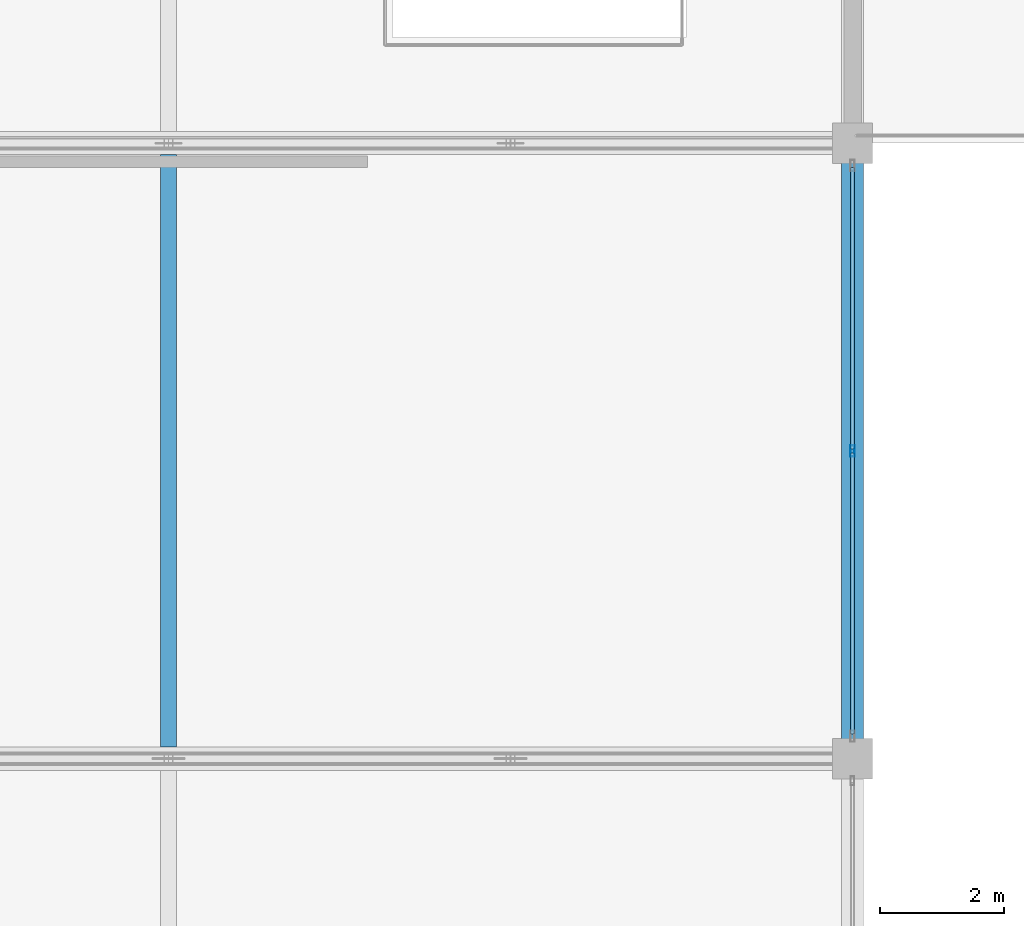
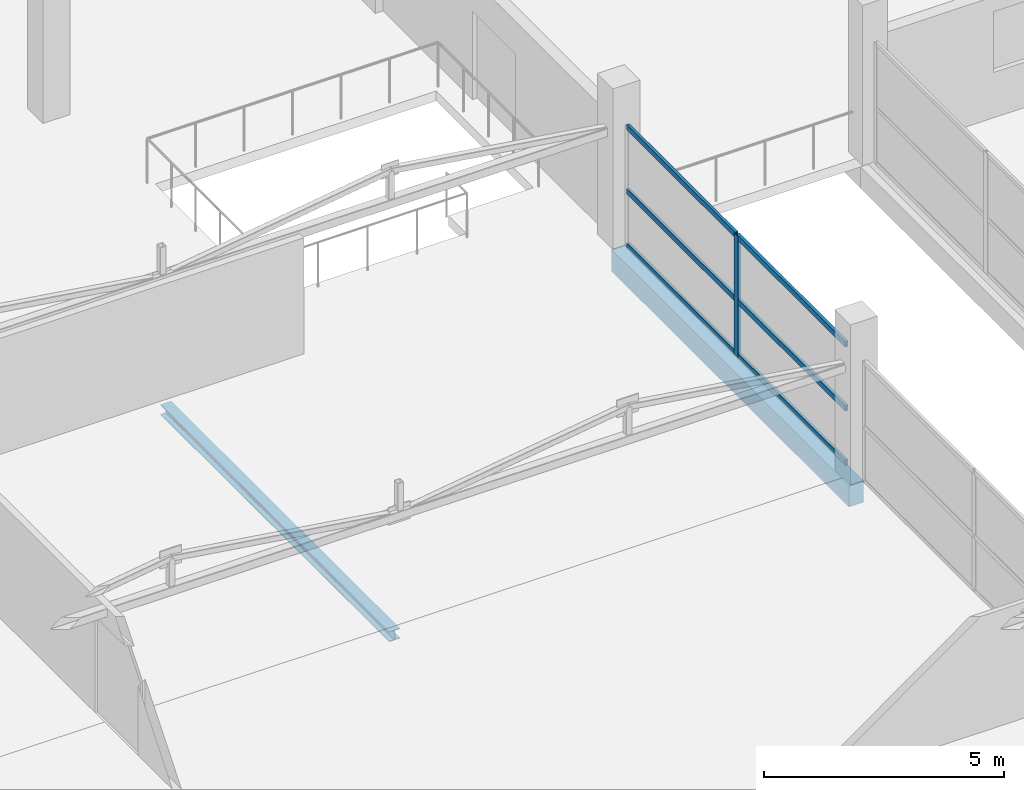
# One storey, part 23 of 53: 7 members, 2 beams, 1 element without a shape of its own.
"""IFC4 building model written with IfcOpenShell, lengths in metres."""

import ifcopenshell
import ifcopenshell.guid

model = None  # the IFC model being written
_history = None  # IfcOwnerHistory: only IFC2X3 demands one
_inside = {}  # id of a spatial element -> (the spatial element, [elements in it])
_under = {}  # id of a project, library or spatial element -> (it, [spatial elements below it])
_declared = {}  # id of a project -> (the project, [libraries it declares])
_typed = {}  # id of a type object -> (the type object, [elements of that type])
_made_of = {}  # id of a material, layer set ... -> (it, [elements and type objects made of it])


def new_model(schema):
    """Start an empty IFC model of exactly this schema.

    Asked for "IFC4X3", IfcOpenShell would pick the latest addendum, in which some entities
    have other attributes; the version numbers below select the first issue.
    IFC2X3 requires an IfcOwnerHistory on every rooted entity: one is made here for all.
    """
    global model, _history
    if schema == "IFC4X3":
        model = ifcopenshell.file(schema_version=(4, 3, 0, 0))
    else:
        model = ifcopenshell.file(schema=schema)
    _inside.clear()
    _under.clear()
    _declared.clear()
    _typed.clear()
    _made_of.clear()
    _history = None
    if model.schema == "IFC2X3":
        org = make("IfcOrganization", Name="unknown")
        user = make(
            "IfcPersonAndOrganization",
            ThePerson=make("IfcPerson", FamilyName="unknown"),
            TheOrganization=org,
        )
        app = make(
            "IfcApplication",
            ApplicationDeveloper=org,
            Version="unknown",
            ApplicationFullName="unknown",
            ApplicationIdentifier="unknown",
        )
        _history = make(
            "IfcOwnerHistory",
            OwningUser=user,
            OwningApplication=app,
            ChangeAction="ADDED",
            CreationDate=0,
        )
    return model


def make(cls, **values):
    """One entity of the class cls with the attributes given. An attribute that is None is left unset."""
    return model.create_entity(
        cls, **{name: value for name, value in values.items() if value is not None}
    )


def rooted(cls, **values):
    """An entity with a GlobalId (a new one), such as an element, a storey or a relation."""
    return make(cls, GlobalId=ifcopenshell.guid.new(), OwnerHistory=_history, **values)


def si_unit(unit_type, name, prefix=None):
    """IfcSIUnit, for example si_unit("LENGTHUNIT", "METRE", prefix="MILLI")."""
    return make("IfcSIUnit", UnitType=unit_type, Prefix=prefix, Name=name)


def assignment(units):
    """IfcUnitAssignment: the units of a project."""
    return None if units is None else make("IfcUnitAssignment", Units=units)


def point(xyz):
    """IfcCartesianPoint."""
    return None if xyz is None else make("IfcCartesianPoint", Coordinates=xyz)


def direction(xyz):
    """IfcDirection."""
    return None if xyz is None else make("IfcDirection", DirectionRatios=xyz)


def frame(location, z_axis=None, x_axis=None):
    """IfcAxis2Placement3D, a coordinate frame: its origin and axes. An axis left out is left unset."""
    return make(
        "IfcAxis2Placement3D",
        Location=point(location),
        Axis=direction(z_axis),
        RefDirection=direction(x_axis),
    )


def frame_2d(location, x_axis=None):
    """IfcAxis2Placement2D, a coordinate frame in the plane: its origin and x axis."""
    return make(
        "IfcAxis2Placement2D", Location=point(location), RefDirection=direction(x_axis)
    )


def origin():
    """The frame at (0, 0, 0) with its axes left unset."""
    return frame((0.0, 0.0, 0.0))


def origin_2d():
    """The frame at (0, 0) in the plane with its x axis left unset."""
    return frame_2d((0.0, 0.0))


def place(relative_to, where):
    """IfcLocalPlacement: puts the frame where relative to a parent placement (None: the world)."""
    return make(
        "IfcLocalPlacement", PlacementRelTo=relative_to, RelativePlacement=where
    )


def context(
    kind, dimensions, precision=None, world=None, true_north=None, identifier=None
):
    """IfcGeometricRepresentationContext, for example the 3D "Model" context."""
    return make(
        "IfcGeometricRepresentationContext",
        ContextIdentifier=identifier,
        ContextType=kind,
        CoordinateSpaceDimension=dimensions,
        Precision=precision,
        WorldCoordinateSystem=world,
        TrueNorth=true_north,
    )


def subcontext(parent, identifier, kind, view, scale=None):
    """IfcGeometricRepresentationSubContext, for example "Body" below "Model"."""
    return make(
        "IfcGeometricRepresentationSubContext",
        ContextIdentifier=identifier,
        ContextType=kind,
        ParentContext=parent,
        TargetScale=scale,
        TargetView=view,
    )


def project(units=None, contexts=None):
    """IfcProject with its units and contexts."""
    return rooted(
        "IfcProject",
        Name="project",
        RepresentationContexts=contexts,
        UnitsInContext=assignment(units),
    )


def spatial(cls, under=None, at=None, **own):
    """A site, building, storey or space (cls), placed at a placement, below another one or the project."""
    s = rooted(cls, ObjectPlacement=at, **own)
    if under is not None:
        _under.setdefault(under.id(), (under, []))[1].append(s)
    return s


def profile(cls, at=None, kind="AREA", **sizes):
    """A parametric profile (cls). Its sizes go by their IFC names, for example OverallWidth=200.0."""
    return make(cls, ProfileType=kind, Position=at, **sizes)


def rectangle(**sizes):
    """IfcRectangleProfileDef."""
    return profile("IfcRectangleProfileDef", **sizes)


def hollow_rectangle(**sizes):
    """IfcRectangleHollowProfileDef."""
    return profile("IfcRectangleHollowProfileDef", **sizes)


def i_section(**sizes):
    """IfcIShapeProfileDef."""
    return profile("IfcIShapeProfileDef", **sizes)


def extrude(swept, where, along, depth):
    """IfcExtrudedAreaSolid: the profile swept, set in the frame where, extruded along a direction by depth."""
    return make(
        "IfcExtrudedAreaSolid",
        SweptArea=swept,
        Position=where,
        ExtrudedDirection=direction(along),
        Depth=depth,
    )


def shape(context_of_items, identifier, shape_type, items):
    """IfcShapeRepresentation: the items that make up one representation, for example the "Body"."""
    return make(
        "IfcShapeRepresentation",
        ContextOfItems=context_of_items,
        RepresentationIdentifier=identifier,
        RepresentationType=shape_type,
        Items=items,
    )


def material(Name=None, Category=None):
    """IfcMaterial."""
    return make("IfcMaterial", Name=Name, Category=Category)


def layer(
    of_material, thickness, ventilated=None, Name=None, Category=None, Priority=None
):
    """IfcMaterialLayer: one layer of a wall or slab, of a material (None: an air gap)."""
    return make(
        "IfcMaterialLayer",
        Material=of_material,
        LayerThickness=thickness,
        IsVentilated=ventilated,
        Name=Name,
        Category=Category,
        Priority=Priority,
    )


def layer_set(layers, Name=None):
    """IfcMaterialLayerSet."""
    return make("IfcMaterialLayerSet", MaterialLayers=layers, LayerSetName=Name)


def material_profile(
    of_material, cross_section, Name=None, Category=None, Priority=None
):
    """IfcMaterialProfile: a cross section and its material."""
    return make(
        "IfcMaterialProfile",
        Name=Name,
        Material=of_material,
        Profile=cross_section,
        Priority=Priority,
        Category=Category,
    )


def profile_set(profiles, Name=None, composite=None):
    """IfcMaterialProfileSet."""
    return make(
        "IfcMaterialProfileSet",
        Name=Name,
        MaterialProfiles=profiles,
        CompositeProfile=composite,
    )


def made_of(thing, what):
    """Note that an element or type object is made of a material, layer set ...; save() writes the relation."""
    if what is not None:
        _made_of.setdefault(what.id(), (what, []))[1].append(thing)
    return thing


def type_object(cls, material=None, **own):
    """A type object (cls), such as IfcWallType, which elements share."""
    return made_of(rooted(cls, **own), material)


def element(
    cls,
    number,
    at=None,
    inside=None,
    cuts=None,
    type_object=None,
    material=None,
    context=None,
    identifier="Body",
    shape_type=None,
    held_by="IfcProductDefinitionShape",
    body=None,
    shapes=None,
    **own,
):
    """One element of the class cls, such as IfcWall. Its Tag is "e" and its number.

    at: its placement. inside: the storey or other place that contains it. cuts: it is an
    opening in that element (IfcRelVoidsElement). A single representation is given by context,
    identifier, shape_type and body (its items); several are given by shapes. held_by: the class
    of the entity that holds the representations. save() writes the other relations.
    """
    e = rooted(cls, Tag="e%d" % number, ObjectPlacement=at, **own)
    if body is not None:
        shapes = [shape(context, identifier, shape_type, body)]
    if shapes is not None:
        e.Representation = make(held_by, Representations=shapes)
    if inside is not None:
        _inside.setdefault(inside.id(), (inside, []))[1].append(e)
    if cuts is not None:
        rooted(
            "IfcRelVoidsElement", RelatingBuildingElement=cuts, RelatedOpeningElement=e
        )
    if type_object is not None:
        _typed.setdefault(type_object.id(), (type_object, []))[1].append(e)
    return made_of(e, material)


def aggregate(whole, parts):
    """IfcRelAggregates: a whole, such as a stair, and the parts it consists of."""
    return rooted("IfcRelAggregates", RelatingObject=whole, RelatedObjects=parts)


def save(model, path):
    """Write the relations noted so far, then the file.

    IfcRelAggregates (storeys below a building ...), IfcRelContainedInSpatialStructure (elements
    in a storey), IfcRelDefinesByType, IfcRelAssociatesMaterial and IfcRelDeclares: one each for
    every whole, place, type object, material and project.
    """
    for whole, parts in _under.values():
        aggregate(whole, parts)
    for where, things in _inside.values():
        rooted(
            "IfcRelContainedInSpatialStructure",
            RelatedElements=things,
            RelatingStructure=where,
        )
    for kind, things in _typed.values():
        rooted("IfcRelDefinesByType", RelatedObjects=things, RelatingType=kind)
    for what, things in _made_of.values():
        rooted("IfcRelAssociatesMaterial", RelatedObjects=things, RelatingMaterial=what)
    for by, libraries in _declared.values():
        rooted("IfcRelDeclares", RelatingContext=by, RelatedDefinitions=libraries)
    model.write(path)


model = new_model("IFC4")

# Units and contexts
model_context = context("Model", 3, precision=1e-05, world=origin(), true_north=direction((0.0, 1.0)))
body_context = subcontext(model_context, "Body", "Model", "MODEL_VIEW")
ifc_project = project(units=[si_unit("LENGTHUNIT", "METRE"), si_unit("AREAUNIT", "SQUARE_METRE"), si_unit("VOLUMEUNIT", "CUBIC_METRE"), si_unit("PLANEANGLEUNIT", "RADIAN"), si_unit("MASSUNIT", "GRAM", prefix="KILO")], contexts=[model_context])

# Site, building, storey
site_placement = place(None, origin())
site = spatial("IfcSite", under=ifc_project, at=site_placement, CompositionType="ELEMENT")
building_placement = place(site_placement, origin())
building = spatial("IfcBuilding", under=site, at=building_placement, Name="Sillaruma Civic Art Gallery", CompositionType="ELEMENT")
storey_placement = place(building_placement, frame((0.0, 0.0, 70.3798828125)))
storey = spatial("IfcBuildingStorey", under=building, at=storey_placement, Name="L14", CompositionType="ELEMENT", Elevation=70.3798828125)

# Beams
ifc_material_1 = material(Name="Structural Steel ASTM A992 Gr.50", Category="steel")
ifc_material_profile_1 = material_profile(ifc_material_1, i_section(OverallWidth=0.256103515625, OverallDepth=0.260009765625, WebThickness=0.0107421875, FlangeThickness=0.017333984375, FilletRadius=0.012939453125, at=origin_2d()), Name="W250x89")
ifc_profile_set_1 = profile_set([ifc_material_profile_1], Name="Structural Steel ASTM A992 Gr.50")
beam_type_1 = type_object("IfcBeamType", Name="BM-JOIST-W250x89", PredefinedType="JOIST", material=ifc_profile_set_1)
beam_1_placement = place(storey_placement, frame((81.0, 59.58544921875, -0.3798828125), z_axis=(0.0, 1.0, 0.0), x_axis=(-1.0, 0.0, 0.0)))
element("IfcBeam", 1, at=beam_1_placement, inside=storey, type_object=beam_type_1, Name="Long-Span Gallery Joist JS-04 (L13:7-8)", PredefinedType="JOIST", context=body_context, shape_type="SweptSolid", body=[
    extrude(i_section(OverallWidth=0.256103515625, OverallDepth=0.260009765625, WebThickness=0.0107421875, FlangeThickness=0.017333984375, FilletRadius=0.012939453125, at=origin_2d()), origin(), (0.0, 0.0, 1.0), 9.529052734375),
])
ifc_material_2 = material(Name="Concrete H35 (35 MPa)", Category="concrete")
ifc_material_profile_2 = material_profile(ifc_material_2, rectangle(XDim=0.35009765625, YDim=0.550048828125, at=origin_2d()), Name="RCB350x550")
ifc_profile_set_2 = profile_set([ifc_material_profile_2], Name="Concrete H35 (35 MPa)")
beam_type_2 = type_object("IfcBeamType", Name="BM-SPANDREL-RCB350x550", PredefinedType="SPANDREL", material=ifc_profile_set_2)
beam_2_placement = place(storey_placement, frame((92.0, 59.39990234375, -0.52490234375), z_axis=(0.0, 1.0, 0.0), x_axis=(-1.0, 0.0, 0.0)))
element("IfcBeam", 2, at=beam_2_placement, inside=storey, type_object=beam_type_2, Name="Beam BS-04 (L13:K:7-8)", PredefinedType="SPANDREL", context=body_context, shape_type="SweptSolid", body=[
    extrude(rectangle(XDim=0.35009765625, YDim=0.550048828125, at=origin_2d()), origin(), (0.0, 0.0, 1.0), 9.900146484375),
])

# Curtain wall, members
ifc_material_3 = material(Name="Thermally Broken Extruded Aluminium 6063-T6", Category="aluminium")
ifc_layer = layer(ifc_material_3, 0.179931640625, Name="Thermally Broken Extruded Aluminium 6063-T6")
ifc_layer_set = layer_set([ifc_layer], Name="Thermally Broken Extruded Aluminium 6063-T6")
curtain_wall_type = type_object("IfcCurtainWallType", Name="CW-UNI-90", PredefinedType="NOTDEFINED", material=ifc_layer_set)
curtain_wall_placement = place(storey_placement, origin())
curtain_wall = element("IfcCurtainWall", 3, at=curtain_wall_placement, inside=storey, type_object=curtain_wall_type, Name="Unitised Curtain Wall CW-90 (CW-L14-WBE-5)", PredefinedType="NOTDEFINED")
ifc_material_profile_3 = material_profile(ifc_material_3, hollow_rectangle(XDim=0.070068359375, YDim=0.179931640625, WallThickness=0.00390625, at=origin_2d()), Name="CWM70x180")
ifc_profile_set_3 = profile_set([ifc_material_profile_3], Name="Thermally Broken Extruded Aluminium 6063-T6")
member_type_1 = type_object("IfcMemberType", Name="MEM-MUL-CWM70x180", PredefinedType="MULLION", material=ifc_profile_set_3)
member_1_placement = place(storey_placement, frame((92.0, 64.35009765625, 0.0), z_axis=(0.0, 0.0, 1.0), x_axis=(-1.0, 0.0, 0.0)))
member_1 = element("IfcMember", 4, at=member_1_placement, type_object=member_type_1, Name="CW-90 mullion 2", PredefinedType="MULLION", context=body_context, shape_type="SweptSolid", body=[
    extrude(hollow_rectangle(XDim=0.070068359375, YDim=0.179931640625, WallThickness=0.00390625, at=origin_2d()), origin(), (0.0, 0.0, 1.0), 3.080078125),
])
ifc_material_profile_4 = material_profile(ifc_material_3, hollow_rectangle(XDim=0.070068359375, YDim=0.139892578125, WallThickness=0.00390625, at=origin_2d()), Name="CWT70x140")
ifc_profile_set_4 = profile_set([ifc_material_profile_4], Name="Thermally Broken Extruded Aluminium 6063-T6")
member_type_2 = type_object("IfcMemberType", Name="MEM-TRN-CWT70x140", PredefinedType="USERDEFINED", material=ifc_profile_set_4)
member_2_placement = place(storey_placement, frame((92.0, 59.794921875, 0.03515625), z_axis=(0.0, 1.0, 0.0), x_axis=(-1.0, 0.0, 0.0)))
member_2 = element("IfcMember", 5, at=member_2_placement, type_object=member_type_2, Name="CW-90 transom 1.1", ObjectType="TRANSOM", PredefinedType="USERDEFINED", context=body_context, shape_type="SweptSolid", body=[
    extrude(hollow_rectangle(XDim=0.070068359375, YDim=0.139892578125, WallThickness=0.00390625, at=origin_2d()), origin(), (0.0, 0.0, 1.0), 4.52001953125),
])
member_3_placement = place(storey_placement, frame((92.0, 59.794921875, 1.4169921875), z_axis=(0.0, 1.0, 0.0), x_axis=(-1.0, 0.0, 0.0)))
member_3 = element("IfcMember", 6, at=member_3_placement, type_object=member_type_2, Name="CW-90 transom 1.2", ObjectType="TRANSOM", PredefinedType="USERDEFINED", context=body_context, shape_type="SweptSolid", body=[
    extrude(hollow_rectangle(XDim=0.070068359375, YDim=0.139892578125, WallThickness=0.00390625, at=origin_2d()), origin(), (0.0, 0.0, 1.0), 4.52001953125),
])
member_4_placement = place(storey_placement, frame((92.0, 59.794921875, 3.045166015625), z_axis=(0.0, 1.0, 0.0), x_axis=(-1.0, 0.0, 0.0)))
member_4 = element("IfcMember", 7, at=member_4_placement, type_object=member_type_2, Name="CW-90 transom 1.3", ObjectType="TRANSOM", PredefinedType="USERDEFINED", context=body_context, shape_type="SweptSolid", body=[
    extrude(hollow_rectangle(XDim=0.070068359375, YDim=0.139892578125, WallThickness=0.00390625, at=origin_2d()), origin(), (0.0, 0.0, 1.0), 4.52001953125),
])
member_5_placement = place(storey_placement, frame((92.0, 64.385009765625, 0.03515625), z_axis=(0.0, 1.0, 0.0), x_axis=(-1.0, 0.0, 0.0)))
member_5 = element("IfcMember", 8, at=member_5_placement, type_object=member_type_2, Name="CW-90 transom 2.1", ObjectType="TRANSOM", PredefinedType="USERDEFINED", context=body_context, shape_type="SweptSolid", body=[
    extrude(hollow_rectangle(XDim=0.070068359375, YDim=0.139892578125, WallThickness=0.00390625, at=origin_2d()), origin(), (0.0, 0.0, 1.0), 4.52001953125),
])
member_6_placement = place(storey_placement, frame((92.0, 64.385009765625, 1.4169921875), z_axis=(0.0, 1.0, 0.0), x_axis=(-1.0, 0.0, 0.0)))
member_6 = element("IfcMember", 9, at=member_6_placement, type_object=member_type_2, Name="CW-90 transom 2.2", ObjectType="TRANSOM", PredefinedType="USERDEFINED", context=body_context, shape_type="SweptSolid", body=[
    extrude(hollow_rectangle(XDim=0.070068359375, YDim=0.139892578125, WallThickness=0.00390625, at=origin_2d()), origin(), (0.0, 0.0, 1.0), 4.52001953125),
])
member_7_placement = place(storey_placement, frame((92.0, 64.385009765625, 3.045166015625), z_axis=(0.0, 1.0, 0.0), x_axis=(-1.0, 0.0, 0.0)))
member_7 = element("IfcMember", 10, at=member_7_placement, type_object=member_type_2, Name="CW-90 transom 2.3", ObjectType="TRANSOM", PredefinedType="USERDEFINED", context=body_context, shape_type="SweptSolid", body=[
    extrude(hollow_rectangle(XDim=0.070068359375, YDim=0.139892578125, WallThickness=0.00390625, at=origin_2d()), origin(), (0.0, 0.0, 1.0), 4.52001953125),
])
aggregate(curtain_wall, [member_1, member_2, member_3, member_4, member_5, member_6, member_7])

save(model, "model.ifc")
